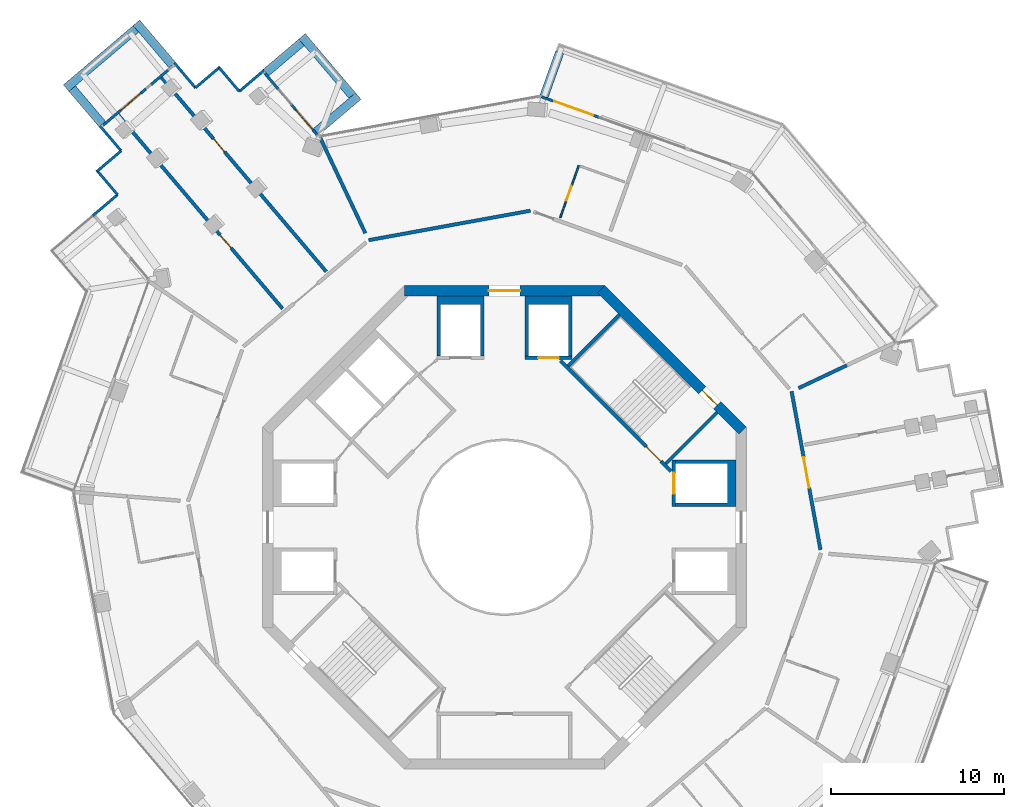
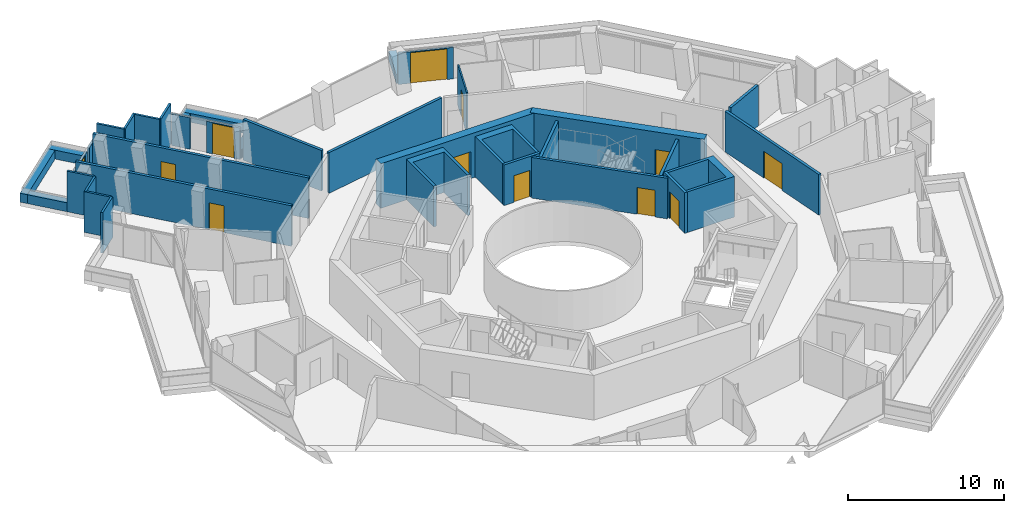
# One storey, part 17 of 21: 37 walls, 12 doors, 12 openings.
"""IFC4 building model written with IfcOpenShell, lengths in metres."""

from ifc_helpers import new_model, si_unit, direction, frame, frame_2d, origin, place, context, subcontext, project, spatial, polyline, rectangle, outline, extrude, material, layer, layer_set, type_object, element, fill, save


model = new_model("IFC4")

# Units and contexts
model_context = context("Model", 3, precision=1e-05, world=origin(), true_north=direction((0.0, 1.0)))
body_context = subcontext(model_context, "Body", "Model", "MODEL_VIEW")
ifc_project = project(units=[si_unit("LENGTHUNIT", "METRE"), si_unit("AREAUNIT", "SQUARE_METRE"), si_unit("VOLUMEUNIT", "CUBIC_METRE"), si_unit("PLANEANGLEUNIT", "RADIAN"), si_unit("MASSUNIT", "GRAM", prefix="KILO")], contexts=[model_context])

# Site, building, storey
site_placement = place(None, origin())
site = spatial("IfcSite", under=ifc_project, at=site_placement, CompositionType="ELEMENT")
building_placement = place(site_placement, origin())
building = spatial("IfcBuilding", under=site, at=building_placement, Name="Verdalira Terraces Hotel", CompositionType="ELEMENT")
storey_placement = place(building_placement, frame((0.0, 0.0, 197.5)))
storey = spatial("IfcBuildingStorey", under=building, at=storey_placement, Name="L48", CompositionType="ELEMENT", Elevation=197.5)

# Walls
ifc_material_1 = material(Name="Concrete C40", Category="concrete")
ifc_layer_1 = layer(ifc_material_1, 0.5)
ifc_layer_set_1 = layer_set([ifc_layer_1], Name="Balcony planter trough with tree")
wall_type_1 = type_object("IfcWallType", Name="Balcony planter trough with tree", PredefinedType="SOLIDWALL", material=ifc_layer_set_1)
wall_1_placement = place(storey_placement, frame((-19.235596, 26.76123, 0.0), z_axis=(0.0, 0.0, 1.0), x_axis=(-0.647050058, 0.762447521, 0.0)))
element("IfcWall", 1, at=wall_1_placement, inside=storey, type_object=wall_type_1, Name="Balcony planter", PredefinedType="SOLIDWALL", context=body_context, shape_type="SweptSolid", body=[
    extrude(rectangle(XDim=3.198975, YDim=0.5, at=frame_2d((1.599609, 0.0))), origin(), (0.0, 0.0, 1.0), 0.699951),
])
wall_2_placement = place(storey_placement, frame((-21.334229, 28.8479, 0.0), z_axis=(0.0, 0.0, 1.0), x_axis=(-0.762443713, -0.647054545, 0.0)))
element("IfcWall", 2, at=wall_2_placement, inside=storey, type_object=wall_type_1, Name="Balcony planter", PredefinedType="SOLIDWALL", context=body_context, shape_type="SweptSolid", body=[
    extrude(rectangle(XDim=5.300049, YDim=0.5, at=frame_2d((2.649902, 0.0))), origin(), (0.0, 0.0, 1.0), 0.699951),
])
for number, where, z_axis, x_axis, name in (
    (3, (-25.022949, 25.389648, 0.0), (0.0, 0.0, 1.0), (0.647088996, -0.762414474, 0.0), "Balcony planter"),
    (4, (3.193848, 27.488525, 0.0), (0.0, 0.0, 1.0), (-0.336748919, -0.94159448, 0.0), "Balcony planter"),
):
    element("IfcWall", number, at=place(storey_placement, frame(where, z_axis=z_axis, x_axis=x_axis)), inside=storey, type_object=wall_type_1, Name=name, PredefinedType="SOLIDWALL", context=body_context, shape_type="SweptSolid", body=[
        extrude(rectangle(XDim=2.699219, YDim=0.5, at=frame_2d((1.349609, 0.0))), origin(), (0.0, 0.0, 1.0), 0.699951),
    ])
wall_3_placement = place(storey_placement, frame((-10.901611, 22.892822, 0.0), z_axis=(0.0, 0.0, 1.0), x_axis=(0.762447521, 0.647050058, 0.0)))
element("IfcWall", 5, at=wall_3_placement, inside=storey, type_object=wall_type_1, Name="Balcony planter", PredefinedType="SOLIDWALL", context=body_context, shape_type="SweptSolid", body=[
    extrude(rectangle(XDim=3.198975, YDim=0.5, at=frame_2d((1.599609, 0.0))), origin(), (0.0, 0.0, 1.0), 0.699951),
])
wall_4_placement = place(storey_placement, frame((-8.814941, 24.991455, 0.0), z_axis=(0.0, 0.0, 1.0), x_axis=(-0.647072265, 0.762428675, 0.0)))
element("IfcWall", 6, at=wall_4_placement, inside=storey, type_object=wall_type_1, Name="Balcony planter", PredefinedType="SOLIDWALL", context=body_context, shape_type="SweptSolid", body=[
    extrude(rectangle(XDim=4.490967, YDim=0.5, at=frame_2d((2.245605, 0.0))), origin(), (0.0, 0.0, 1.0), 0.699951),
])
wall_5_placement = place(storey_placement, frame((-11.749756, 28.063232, 0.0), z_axis=(0.0, 0.0, 1.0), x_axis=(-0.762459099, -0.647036415, 0.0)))
element("IfcWall", 7, at=wall_5_placement, inside=storey, type_object=wall_type_1, Name="Balcony planter", PredefinedType="SOLIDWALL", context=body_context, shape_type="SweptSolid", body=[
    extrude(rectangle(XDim=2.698975, YDim=0.5, at=frame_2d((1.349609, 0.0))), origin(), (0.0, 0.0, 1.0), 0.699951),
])

# Wall, opening, door
ifc_material_2 = material(Name="Moisture-resistant gypsum board partition")
ifc_layer_2 = layer(ifc_material_2, 0.10009765625)
ifc_layer_set_2 = layer_set([ifc_layer_2], Name="Bathroom partition 100 mm")
wall_type_2 = type_object("IfcWallType", Name="Bathroom partition 100 mm", PredefinedType="PARTITIONING", material=ifc_layer_set_2)
wall_6_placement = place(storey_placement, frame((4.300781, 20.932617, 0.0), z_axis=(0.0, 0.0, 1.0), x_axis=(-0.336843833, -0.94156053, 0.0)))
wall_6 = element("IfcWall", 8, at=wall_6_placement, inside=storey, type_object=wall_type_2, Name="Bathroom partition", PredefinedType="PARTITIONING", context=body_context, shape_type="SweptSolid", body=[
    extrude(rectangle(XDim=3.199951, YDim=0.100098, at=frame_2d((1.600098, 0.0))), origin(), (0.0, 0.0, 1.0), 3.189941),
])
opening_1_placement = place(wall_6_placement, frame((1.25, 0.0, 0.0)))
opening_1 = element("IfcOpeningElement", 9, at=opening_1_placement, cuts=wall_6, Name="Opening L48-124", PredefinedType="OPENING", context=body_context, shape_type="SweptSolid", body=[
    extrude(rectangle(XDim=0.899902, YDim=2.100098, at=frame_2d((0.449951, 1.050049))), frame((0.0, 0.060059, 0.0), z_axis=(0.0, -1.0, 0.0), x_axis=(1.0, 0.0, 0.0)), (0.0, 0.0, 1.0), 0.120117),
])
ifc_material_3 = material(Name="Timber door", Category="wood")
door_type_1 = type_object("IfcDoorType", Name="Bathroom door 900 x 2100", OperationType="NOTDEFINED", PredefinedType="DOOR", material=ifc_material_3)
door_1_placement = place(opening_1_placement, origin())
door_1 = element("IfcDoor", 10, at=door_1_placement, inside=storey, type_object=door_type_1, Name="Bathroom door 4810", OperationType="SINGLE_SWING_LEFT", OverallHeight=2.10009765625, OverallWidth=0.89990234375, PredefinedType="DOOR", context=body_context, shape_type="SweptSolid", body=[
    extrude(rectangle(XDim=0.899902, YDim=2.100098, at=frame_2d((0.449951, 1.050049))), frame((0.0, 0.024902, 0.0), z_axis=(0.0, -1.0, 0.0), x_axis=(1.0, 0.0, 0.0)), (0.0, 0.0, 1.0), 0.050049),
])
fill(opening_1, door_1)

# Wall
ifc_material_4 = material(Name="Concrete C50", Category="concrete")
ifc_layer_3 = layer(ifc_material_4, 0.199951171875)
ifc_layer_set_3 = layer_set([ifc_layer_3], Name="Core RC wall 200 C50")
wall_type_3 = type_object("IfcWallType", Name="Core RC wall 200 C50", PredefinedType="SOLIDWALL", material=ifc_layer_set_3)
wall_7_placement = place(storey_placement, origin())
element("IfcWall", 11, at=wall_7_placement, inside=storey, type_object=wall_type_3, Name="L48 shaft wall E2", PredefinedType="SOLIDWALL", context=body_context, shape_type="SweptSolid", body=[
    extrude(outline(polyline([(13.399902, 3.899902), (13.399902, 1.199951), (9.899902, 1.199951), (9.899902, 1.399902), (12.899902, 1.399902), (12.899902, 3.699951), (9.899902, 3.699951), (9.899902, 3.899902), (13.399902, 3.899902)])), origin(), (0.0, 0.0, 1.0), 3.189941),
])

# Wall, opening, door
wall_8_placement = place(storey_placement, frame((9.800049, 1.199951, 0.0), z_axis=(0.0, 0.0, 1.0), x_axis=(0.0, 1.0, 0.0)))
wall_8 = element("IfcWall", 12, at=wall_8_placement, inside=storey, type_object=wall_type_3, Name="L48 shaft front wall E2", PredefinedType="SOLIDWALL", context=body_context, shape_type="SweptSolid", body=[
    extrude(rectangle(XDim=2.699951, YDim=0.199951, at=frame_2d((1.350098, 0.0))), origin(), (0.0, 0.0, 1.0), 3.189941),
])
opening_2_placement = place(wall_8_placement, frame((0.75, 0.0, 0.0)))
opening_2 = element("IfcOpeningElement", 13, at=opening_2_placement, cuts=wall_8, Name="Opening LD-L48-803", PredefinedType="OPENING", context=body_context, shape_type="SweptSolid", body=[
    extrude(rectangle(XDim=1.199951, YDim=2.100098, at=frame_2d((0.600098, 1.050049))), frame((0.0, 0.109863, 0.0), z_axis=(0.0, -1.0, 0.0), x_axis=(1.0, 0.0, 0.0)), (0.0, 0.0, 1.0), 0.219971),
])
ifc_material_5 = material(Name="Stainless steel", Category="steel")
door_type_2 = type_object("IfcDoorType", Name="Landing door 1200 x 2100", OperationType="NOTDEFINED", PredefinedType="DOOR", material=ifc_material_5)
door_2_placement = place(opening_2_placement, origin())
door_2 = element("IfcDoor", 14, at=door_2_placement, inside=storey, type_object=door_type_2, Name="Lift landing door HR2 L48", OperationType="DOUBLE_DOOR_SLIDING", OverallHeight=2.10009765625, OverallWidth=1.199951171875, PredefinedType="DOOR", context=body_context, shape_type="SweptSolid", body=[
    extrude(rectangle(XDim=1.199951, YDim=2.100098, at=frame_2d((0.600098, 1.050049))), frame((0.0, 0.024902, 0.0), z_axis=(0.0, -1.0, 0.0), x_axis=(1.0, 0.0, 0.0)), (0.0, 0.0, 1.0), 0.050049),
])
fill(opening_2, door_2)

# Wall
wall_9_placement = place(storey_placement, origin())
element("IfcWall", 15, at=wall_9_placement, inside=storey, type_object=wall_type_3, Name="L48 shaft wall N1", PredefinedType="SOLIDWALL", context=body_context, shape_type="SweptSolid", body=[
    extrude(outline(polyline([(3.899902, 9.899902), (3.699951, 9.899902), (3.699951, 12.899902), (1.399902, 12.899902), (1.399902, 9.899902), (1.199951, 9.899902), (1.199951, 13.399902), (3.899902, 13.399902), (3.899902, 9.899902)])), origin(), (0.0, 0.0, 1.0), 3.189941),
])

# Wall, opening, door
wall_10_placement = place(storey_placement, frame((1.199951, 9.800049, 0.0), z_axis=(0.0, 0.0, 1.0), x_axis=(1.0, 0.0, 0.0)))
wall_10 = element("IfcWall", 16, at=wall_10_placement, inside=storey, type_object=wall_type_3, Name="L48 shaft front wall N1", PredefinedType="SOLIDWALL", context=body_context, shape_type="SweptSolid", body=[
    extrude(rectangle(XDim=2.699951, YDim=0.199951, at=frame_2d((1.350098, 0.0))), origin(), (0.0, 0.0, 1.0), 3.189941),
])
opening_3_placement = place(wall_10_placement, frame((0.75, 0.0, 0.0)))
opening_3 = element("IfcOpeningElement", 17, at=opening_3_placement, cuts=wall_10, Name="Opening LD-L48-804", PredefinedType="OPENING", context=body_context, shape_type="SweptSolid", body=[
    extrude(rectangle(XDim=1.199951, YDim=2.100098, at=frame_2d((0.600098, 1.050049))), frame((0.0, 0.109863, 0.0), z_axis=(0.0, -1.0, 0.0), x_axis=(1.0, 0.0, 0.0)), (0.0, 0.0, 1.0), 0.219971),
])
door_3_placement = place(opening_3_placement, origin())
door_3 = element("IfcDoor", 18, at=door_3_placement, inside=storey, type_object=door_type_2, Name="Lift landing door HR3 L48", OperationType="DOUBLE_DOOR_SLIDING", OverallHeight=2.10009765625, OverallWidth=1.199951171875, PredefinedType="DOOR", context=body_context, shape_type="SweptSolid", body=[
    extrude(rectangle(XDim=1.199951, YDim=2.100098, at=frame_2d((0.600098, 1.050049))), frame((0.0, 0.024902, 0.0), z_axis=(0.0, -1.0, 0.0), x_axis=(1.0, 0.0, 0.0)), (0.0, 0.0, 1.0), 0.050049),
])
fill(opening_3, door_3)

# Wall
wall_11_placement = place(storey_placement, origin())
element("IfcWall", 19, at=wall_11_placement, inside=storey, type_object=wall_type_3, Name="L48 shaft wall N2", PredefinedType="SOLIDWALL", context=body_context, shape_type="SweptSolid", body=[
    extrude(outline(polyline([(-3.899902, 13.399902), (-1.199951, 13.399902), (-1.199951, 9.899902), (-1.399902, 9.899902), (-1.399902, 12.899902), (-3.699951, 12.899902), (-3.699951, 9.899902), (-3.899902, 9.899902), (-3.899902, 13.399902)])), origin(), (0.0, 0.0, 1.0), 3.189941),
])

# Wall, opening, door
wall_12_placement = place(storey_placement, frame((3.23999, 9.629395, 0.0), z_axis=(0.0, 0.0, 1.0), x_axis=(0.707106781, -0.707106781, 0.0)))
wall_12 = element("IfcWall", 20, at=wall_12_placement, inside=storey, type_object=wall_type_3, Name="L48 stair ST1 front wall", PredefinedType="SOLIDWALL", context=body_context, shape_type="SweptSolid", body=[
    extrude(rectangle(XDim=9.035889, YDim=0.199951, at=frame_2d((4.518066, 0.0))), origin(), (0.0, 0.0, 1.0), 3.189941),
])
opening_4_placement = place(wall_12_placement, frame((7.017822, 0.0, 0.0)))
opening_4 = element("IfcOpeningElement", 21, at=opening_4_placement, cuts=wall_12, Name="Opening L48-810", PredefinedType="OPENING", context=body_context, shape_type="SweptSolid", body=[
    extrude(rectangle(XDim=1.199951, YDim=2.100098, at=frame_2d((0.600098, 1.050049))), frame((0.0, 0.109863, 0.0), z_axis=(0.0, -1.0, 0.0), x_axis=(1.0, 0.0, 0.0)), (0.0, 0.0, 1.0), 0.219971),
])
ifc_material_6 = material(Name="Steel fire door", Category="steel")
door_type_3 = type_object("IfcDoorType", Name="Stair door 1200 x 2100", OperationType="NOTDEFINED", PredefinedType="DOOR", material=ifc_material_6)
door_4_placement = place(opening_4_placement, origin())
door_4 = element("IfcDoor", 22, at=door_4_placement, inside=storey, type_object=door_type_3, Name="Stair door ST1 L48", OperationType="SINGLE_SWING_RIGHT", OverallHeight=2.10009765625, OverallWidth=1.199951171875, PredefinedType="DOOR", context=body_context, shape_type="SweptSolid", body=[
    extrude(rectangle(XDim=1.199951, YDim=2.100098, at=frame_2d((0.600098, 1.050049))), frame((0.0, 0.024902, 0.0), z_axis=(0.0, -1.0, 0.0), x_axis=(1.0, 0.0, 0.0)), (0.0, 0.0, 1.0), 0.050049),
])
fill(opening_4, door_4)

# Walls
for number, where, z_axis, x_axis, name in (
    (23, (9.33374, 3.677002, 0.0), (0.0, 0.0, 1.0), (0.707135845, 0.707077716, 0.0), "L48 stair ST1 end wall 1"),
    (24, (3.677002, 9.33374, 0.0), (0.0, 0.0, 1.0), (0.707077716, 0.707135845, 0.0), "L48 stair ST1 end wall 2"),
):
    element("IfcWall", number, at=place(storey_placement, frame(where, z_axis=z_axis, x_axis=x_axis)), inside=storey, type_object=wall_type_3, Name=name, PredefinedType="SOLIDWALL", context=body_context, shape_type="SweptSolid", body=[
        extrude(rectangle(XDim=4.199951, YDim=0.199951, at=frame_2d((2.100098, 0.0))), origin(), (0.0, 0.0, 1.0), 3.189941),
    ])

# Wall, opening, door
ifc_material_7 = material(Name="Concrete C60", Category="concrete")
ifc_layer_4 = layer(ifc_material_7, 0.60009765625)
ifc_layer_set_4 = layer_set([ifc_layer_4], Name="Core wall 600 C60")
wall_type_4 = type_object("IfcWallType", Name="Core wall 600 C60", PredefinedType="SHEAR", material=ifc_layer_set_4)
wall_13_placement = place(storey_placement, frame((13.787842, 5.586914, 0.0), z_axis=(0.0, 0.0, 1.0), x_axis=(-0.707106781, 0.707106781, 0.0)))
wall_13 = element("IfcWall", 25, at=wall_13_placement, inside=storey, type_object=wall_type_4, Name="Core wall CW-L48-2", PredefinedType="SHEAR", context=body_context, shape_type="SweptSolid", body=[
    extrude(rectangle(XDim=11.5979, YDim=0.600098, at=frame_2d((5.798828, 0.0))), origin(), (0.0, 0.0, 1.0), 3.5),
])
opening_5_placement = place(wall_13_placement, frame((2.099121, 0.0, 0.0)))
opening_5 = element("IfcOpeningElement", 26, at=opening_5_placement, cuts=wall_13, Name="Opening L48-816", PredefinedType="OPENING", context=body_context, shape_type="SweptSolid", body=[
    extrude(rectangle(XDim=1.199951, YDim=2.100098, at=frame_2d((0.600098, 1.050049))), frame((0.0, 0.310059, 0.0), z_axis=(0.0, -1.0, 0.0), x_axis=(1.0, 0.0, 0.0)), (0.0, 0.0, 1.0), 0.620117),
])
door_5_placement = place(opening_5_placement, origin())
door_5 = element("IfcDoor", 27, at=door_5_placement, inside=storey, type_object=door_type_3, Name="Stair exit door ST1 L48", OperationType="SINGLE_SWING_LEFT", OverallHeight=2.10009765625, OverallWidth=1.199951171875, PredefinedType="DOOR", context=body_context, shape_type="SweptSolid", body=[
    extrude(rectangle(XDim=1.199951, YDim=2.100098, at=frame_2d((0.600098, 1.050049))), frame((0.0, 0.024902, 0.0), z_axis=(0.0, -1.0, 0.0), x_axis=(1.0, 0.0, 0.0)), (0.0, 0.0, 1.0), 0.050049),
])
fill(opening_5, door_5)

wall_14_placement = place(storey_placement, frame((5.799072, 13.699951, 0.0), z_axis=(0.0, 0.0, 1.0), x_axis=(-1.0, 0.0, 0.0)))
wall_14 = element("IfcWall", 28, at=wall_14_placement, inside=storey, type_object=wall_type_4, Name="Core wall CW-L48-3", PredefinedType="SHEAR", context=body_context, shape_type="SweptSolid", body=[
    extrude(rectangle(XDim=11.598145, YDim=0.600098, at=frame_2d((5.799072, 0.0))), origin(), (0.0, 0.0, 1.0), 3.5),
])
opening_6_placement = place(wall_14_placement, frame((4.898926, 0.0, 0.0)))
opening_6 = element("IfcOpeningElement", 29, at=opening_6_placement, cuts=wall_14, Name="Opening L48-814", PredefinedType="OPENING", context=body_context, shape_type="SweptSolid", body=[
    extrude(rectangle(XDim=1.800049, YDim=2.100098, at=frame_2d((0.899902, 1.050049))), frame((0.0, 0.310059, 0.0), z_axis=(0.0, -1.0, 0.0), x_axis=(1.0, 0.0, 0.0)), (0.0, 0.0, 1.0), 0.620117),
])
ifc_material_8 = material(Name="Steel fire door", Category="steel")
door_type_4 = type_object("IfcDoorType", Name="Core entry door pair 1800 x 2100", OperationType="NOTDEFINED", PredefinedType="DOOR", material=ifc_material_8)
door_6_placement = place(opening_6_placement, origin())
door_6 = element("IfcDoor", 30, at=door_6_placement, inside=storey, type_object=door_type_4, Name="Core entry door L48 2", OperationType="DOUBLE_DOOR_SINGLE_SWING", OverallHeight=2.10009765625, OverallWidth=1.800048828125, PredefinedType="DOOR", context=body_context, shape_type="SweptSolid", body=[
    extrude(rectangle(XDim=1.800049, YDim=2.100098, at=frame_2d((0.899902, 1.050049))), frame((0.0, 0.024902, 0.0), z_axis=(0.0, -1.0, 0.0), x_axis=(1.0, 0.0, 0.0)), (0.0, 0.0, 1.0), 0.050049),
])
fill(opening_6, door_6)

ifc_material_9 = material(Name="Fire-rated gypsum board wall")
ifc_layer_5 = layer(ifc_material_9, 0.199951171875)
ifc_layer_set_5 = layer_set([ifc_layer_5], Name="Demising wall 200 mm")
wall_type_5 = type_object("IfcWallType", Name="Demising wall 200 mm", PredefinedType="SOLIDWALL", material=ifc_layer_set_5)
wall_15_placement = place(storey_placement, frame((-12.843994, 12.653564, 0.0), z_axis=(0.0, 0.0, 1.0), x_axis=(-0.647054482, 0.762443767, 0.0)))
wall_15 = element("IfcWall", 31, at=wall_15_placement, inside=storey, type_object=wall_type_5, Name="Demising wall", PredefinedType="SOLIDWALL", context=body_context, shape_type="SweptSolid", body=[
    extrude(rectangle(XDim=14.740723, YDim=0.199951, at=frame_2d((7.370361, 0.0))), origin(), (0.0, 0.0, 1.0), 3.189941),
])
opening_7_placement = place(wall_15_placement, frame((4.600098, 0.0, 0.0)))
opening_7 = element("IfcOpeningElement", 32, at=opening_7_placement, cuts=wall_15, Name="Opening L48-103", PredefinedType="OPENING", context=body_context, shape_type="SweptSolid", body=[
    extrude(rectangle(XDim=1.0, YDim=2.100098, at=frame_2d((0.5, 1.050049))), frame((0.0, 0.109863, 0.0), z_axis=(0.0, -1.0, 0.0), x_axis=(1.0, 0.0, 0.0)), (0.0, 0.0, 1.0), 0.219971),
])
ifc_material_10 = material(Name="Timber fire door", Category="wood")
door_type_5 = type_object("IfcDoorType", Name="Public room door 1000 x 2100", OperationType="NOTDEFINED", PredefinedType="DOOR", material=ifc_material_10)
door_7_placement = place(opening_7_placement, origin())
door_7 = element("IfcDoor", 33, at=door_7_placement, inside=storey, type_object=door_type_5, Name="Public room door 4801", OperationType="SINGLE_SWING_LEFT", OverallHeight=2.10009765625, OverallWidth=1.0, PredefinedType="DOOR", context=body_context, shape_type="SweptSolid", body=[
    extrude(rectangle(XDim=1.0, YDim=2.100098, at=frame_2d((0.5, 1.050049))), frame((0.0, 0.024902, 0.0), z_axis=(0.0, -1.0, 0.0), x_axis=(1.0, 0.0, 0.0)), (0.0, 0.0, 1.0), 0.050049),
])
fill(opening_7, door_7)

wall_16_placement = place(storey_placement, frame((-19.855957, 26.036621, 0.0), z_axis=(0.0, 0.0, 1.0), x_axis=(0.64706411, -0.762435596, 0.0)))
wall_16 = element("IfcWall", 34, at=wall_16_placement, inside=storey, type_object=wall_type_5, Name="Demising wall", PredefinedType="SOLIDWALL", context=body_context, shape_type="SweptSolid", body=[
    extrude(rectangle(XDim=14.740967, YDim=0.199951, at=frame_2d((7.370605, 0.0))), origin(), (0.0, 0.0, 1.0), 3.189941),
])
opening_8_placement = place(wall_16_placement, frame((4.649902, 0.0, 0.0)))
opening_8 = element("IfcOpeningElement", 35, at=opening_8_placement, cuts=wall_16, Name="Opening L48-102", PredefinedType="OPENING", context=body_context, shape_type="SweptSolid", body=[
    extrude(rectangle(XDim=1.0, YDim=2.100098, at=frame_2d((0.5, 1.050049))), frame((0.0, 0.109863, 0.0), z_axis=(0.0, -1.0, 0.0), x_axis=(1.0, 0.0, 0.0)), (0.0, 0.0, 1.0), 0.219971),
])
door_8_placement = place(opening_8_placement, origin())
door_8 = element("IfcDoor", 36, at=door_8_placement, inside=storey, type_object=door_type_5, Name="Public room door 4801", OperationType="SINGLE_SWING_LEFT", OverallHeight=2.10009765625, OverallWidth=1.0, PredefinedType="DOOR", context=body_context, shape_type="SweptSolid", body=[
    extrude(rectangle(XDim=1.0, YDim=2.100098, at=frame_2d((0.5, 1.050049))), frame((0.0, 0.024902, 0.0), z_axis=(0.0, -1.0, 0.0), x_axis=(1.0, 0.0, 0.0)), (0.0, 0.0, 1.0), 0.050049),
])
fill(opening_8, door_8)

# Walls
wall_17_placement = place(storey_placement, frame((-10.676514, 22.565918, 0.0), z_axis=(0.0, 0.0, 1.0), x_axis=(0.427678976, -0.903930691, 0.0)))
element("IfcWall", 37, at=wall_17_placement, inside=storey, type_object=wall_type_5, Name="Demising wall", PredefinedType="SOLIDWALL", context=body_context, shape_type="SweptSolid", body=[
    extrude(rectangle(XDim=6.13208, YDim=0.199951, at=frame_2d((3.065918, 0.0))), origin(), (0.0, 0.0, 1.0), 3.189941),
])
wall_18_placement = place(storey_placement, frame((17.022949, 8.053955, 0.0), z_axis=(0.0, 0.0, 1.0), x_axis=(0.903934995, 0.427669877, 0.0)))
element("IfcWall", 38, at=wall_18_placement, inside=storey, type_object=wall_type_5, Name="Demising wall", PredefinedType="SOLIDWALL", context=body_context, shape_type="SweptSolid", body=[
    extrude(rectangle(XDim=3.074707, YDim=0.199951, at=frame_2d((1.537354, 0.0))), origin(), (0.0, 0.0, 1.0), 3.189941),
])
ifc_material_11 = material(Name="Fire-rated gypsum board wall")
ifc_layer_6 = layer(ifc_material_11, 0.199951171875)
ifc_layer_set_6 = layer_set([ifc_layer_6], Name="Guest corridor wall 200 mm")
wall_type_6 = type_object("IfcWallType", Name="Guest corridor wall 200 mm", PredefinedType="SOLIDWALL", material=ifc_layer_set_6)
wall_19_placement = place(storey_placement, frame((1.499512, 18.323486, 0.0), z_axis=(0.0, 0.0, 1.0), x_axis=(-0.983821025, -0.179154099, 0.0)))
element("IfcWall", 39, at=wall_19_placement, inside=storey, type_object=wall_type_6, Name="Guest corridor wall", PredefinedType="SOLIDWALL", context=body_context, shape_type="SweptSolid", body=[
    extrude(rectangle(XDim=9.516113, YDim=0.199951, at=frame_2d((4.758057, 0.0))), origin(), (0.0, 0.0, 1.0), 3.189941),
])

# Wall, opening, door
wall_20_placement = place(storey_placement, frame((16.618652, 7.862793, 0.0), z_axis=(0.0, 0.0, 1.0), x_axis=(0.179134481, -0.983824597, 0.0)))
wall_20 = element("IfcWall", 40, at=wall_20_placement, inside=storey, type_object=wall_type_6, Name="Guest corridor wall", PredefinedType="SOLIDWALL", context=body_context, shape_type="SweptSolid", body=[
    extrude(rectangle(XDim=9.31665, YDim=0.199951, at=frame_2d((4.658203, 0.0))), origin(), (0.0, 0.0, 1.0), 3.189941),
])
opening_9_placement = place(wall_20_placement, frame((3.869385, 0.0, 0.0)))
opening_9 = element("IfcOpeningElement", 41, at=opening_9_placement, cuts=wall_20, Name="Opening L48-118", PredefinedType="OPENING", context=body_context, shape_type="SweptSolid", body=[
    extrude(rectangle(XDim=1.800049, YDim=2.100098, at=frame_2d((0.899902, 1.050049))), frame((0.0, 0.109863, 0.0), z_axis=(0.0, -1.0, 0.0), x_axis=(1.0, 0.0, 0.0)), (0.0, 0.0, 1.0), 0.219971),
])
ifc_material_12 = material(Name="Timber fire door", Category="wood")
door_type_6 = type_object("IfcDoorType", Name="Public room double door 1800 x 2100", OperationType="NOTDEFINED", PredefinedType="DOOR", material=ifc_material_12)
door_9_placement = place(opening_9_placement, origin())
door_9 = element("IfcDoor", 42, at=door_9_placement, inside=storey, type_object=door_type_6, Name="Public room double door 4808", OperationType="DOUBLE_DOOR_SINGLE_SWING", OverallHeight=2.10009765625, OverallWidth=1.800048828125, PredefinedType="DOOR", context=body_context, shape_type="SweptSolid", body=[
    extrude(rectangle(XDim=1.800049, YDim=2.100098, at=frame_2d((0.899902, 1.050049))), frame((0.0, 0.024902, 0.0), z_axis=(0.0, -1.0, 0.0), x_axis=(1.0, 0.0, 0.0)), (0.0, 0.0, 1.0), 0.050049),
])
fill(opening_9, door_9)

# Walls
ifc_material_13 = material(Name="Terracotta cladding", Category="masonry")
ifc_layer_7 = layer(ifc_material_13, 0.14990234375)
ifc_layer_set_7 = layer_set([ifc_layer_7], Name="Terracotta clad wall 150")
wall_type_7 = type_object("IfcWallType", Name="Terracotta clad wall 150", PredefinedType="SOLIDWALL", material=ifc_layer_set_7)
wall_21_placement = place(storey_placement, frame((-13.921631, 26.449707, 0.0), z_axis=(0.0, 0.0, 1.0), x_axis=(-0.762372861, -0.647138022, 0.0)))
element("IfcWall", 43, at=wall_21_placement, inside=storey, type_object=wall_type_7, Name="Terracotta cladding wall", PredefinedType="SOLIDWALL", context=body_context, shape_type="SweptSolid", body=[
    extrude(rectangle(XDim=1.875, YDim=0.149902, at=frame_2d((0.9375, 0.0))), origin(), (0.0, 0.0, 1.0), 3.189941),
])
wall_22_placement = place(storey_placement, frame((-15.351074, 25.236328, 0.0), z_axis=(0.0, 0.0, 1.0), x_axis=(-0.647108872, 0.762397605, 0.0)))
element("IfcWall", 44, at=wall_22_placement, inside=storey, type_object=wall_type_7, Name="Terracotta cladding wall", PredefinedType="SOLIDWALL", context=body_context, shape_type="SweptSolid", body=[
    extrude(rectangle(XDim=1.800049, YDim=0.149902, at=frame_2d((0.899902, 0.0))), origin(), (0.0, 0.0, 1.0), 3.189941),
])
for number, where, z_axis, x_axis, name in (
    (45, (-16.45874, 26.657227, 0.0), (0.0, 0.0, 1.0), (-0.762437103, -0.647062334, 0.0), "Terracotta cladding wall"),
    (46, (-17.888184, 25.444092, 0.0), (0.0, 0.0, 1.0), (-0.647062334, 0.762437103, 0.0), "Terracotta cladding wall"),
):
    element("IfcWall", number, at=place(storey_placement, frame(where, z_axis=z_axis, x_axis=x_axis)), inside=storey, type_object=wall_type_7, Name=name, PredefinedType="SOLIDWALL", context=body_context, shape_type="SweptSolid", body=[
        extrude(rectangle(XDim=1.874756, YDim=0.149902, at=frame_2d((0.9375, 0.0))), origin(), (0.0, 0.0, 1.0), 3.189941),
    ])
wall_23_placement = place(storey_placement, frame((-23.40918, 23.217773, 0.0), z_axis=(0.0, 0.0, 1.0), x_axis=(0.646998095, -0.762491617, 0.0)))
element("IfcWall", 47, at=wall_23_placement, inside=storey, type_object=wall_type_7, Name="Terracotta cladding wall", PredefinedType="SOLIDWALL", context=body_context, shape_type="SweptSolid", body=[
    extrude(rectangle(XDim=1.875, YDim=0.149902, at=frame_2d((0.9375, 0.0))), origin(), (0.0, 0.0, 1.0), 3.189941),
])
wall_24_placement = place(storey_placement, frame((-22.196045, 21.788086, 0.0), z_axis=(0.0, 0.0, 1.0), x_axis=(-0.762464522, -0.647030025, 0.0)))
element("IfcWall", 48, at=wall_24_placement, inside=storey, type_object=wall_type_7, Name="Terracotta cladding wall", PredefinedType="SOLIDWALL", context=body_context, shape_type="SweptSolid", body=[
    extrude(rectangle(XDim=1.799805, YDim=0.149902, at=frame_2d((0.899902, 0.0))), origin(), (0.0, 0.0, 1.0), 3.189941),
])
wall_25_placement = place(storey_placement, frame((-23.616943, 20.680664, 0.0), z_axis=(0.0, 0.0, 1.0), x_axis=(0.646998095, -0.762491617, 0.0)))
element("IfcWall", 49, at=wall_25_placement, inside=storey, type_object=wall_type_7, Name="Terracotta cladding wall", PredefinedType="SOLIDWALL", context=body_context, shape_type="SweptSolid", body=[
    extrude(rectangle(XDim=1.875, YDim=0.149902, at=frame_2d((0.9375, 0.0))), origin(), (0.0, 0.0, 1.0), 3.189941),
])
wall_26_placement = place(storey_placement, frame((-22.403809, 19.250977, 0.0), z_axis=(0.0, 0.0, 1.0), x_axis=(-0.762437103, -0.647062334, 0.0)))
element("IfcWall", 50, at=wall_26_placement, inside=storey, type_object=wall_type_7, Name="Terracotta cladding wall", PredefinedType="SOLIDWALL", context=body_context, shape_type="SweptSolid", body=[
    extrude(rectangle(XDim=1.874756, YDim=0.149902, at=frame_2d((0.9375, 0.0))), origin(), (0.0, 0.0, 1.0), 3.189941),
])
ifc_material_14 = material(Name="Terracotta cladding", Category="masonry")
ifc_layer_8 = layer(ifc_material_14, 0.14990234375)
ifc_layer_set_8 = layer_set([ifc_layer_8], Name="Terracotta column pier 150")
wall_type_8 = type_object("IfcWallType", Name="Terracotta column pier 150", PredefinedType="SOLIDWALL", material=ifc_layer_set_8)
wall_27_placement = place(storey_placement, frame((-13.056641, 25.314697, 0.0), z_axis=(0.0, 0.0, 1.0), x_axis=(-0.647155536, 0.762357995, 0.0)))
element("IfcWall", 51, at=wall_27_placement, inside=storey, type_object=wall_type_8, Name="Terracotta column pier", PredefinedType="SOLIDWALL", context=body_context, shape_type="SweptSolid", body=[
    extrude(rectangle(XDim=1.280029, YDim=0.149902, at=frame_2d((0.640137, 0.0))), origin(), (0.0, 0.0, 1.0), 2.475098),
])
wall_28_placement = place(storey_placement, frame((-19.476074, 26.457275, 0.0), z_axis=(0.0, 0.0, 1.0), x_axis=(-0.762531758, -0.646950785, 0.0)))
element("IfcWall", 52, at=wall_28_placement, inside=storey, type_object=wall_type_8, Name="Terracotta column pier", PredefinedType="SOLIDWALL", context=body_context, shape_type="SweptSolid", body=[
    extrude(rectangle(XDim=1.290527, YDim=0.149902, at=frame_2d((0.645264, 0.0))), origin(), (0.0, 0.0, 1.0), 2.475098),
])

# Wall, opening, door
ifc_material_15 = material(Name="Terracotta cladding", Category="masonry")
ifc_layer_9 = layer(ifc_material_15, 0.14990234375)
ifc_layer_set_9 = layer_set([ifc_layer_9], Name="Terracotta door pier 150")
wall_type_9 = type_object("IfcWallType", Name="Terracotta door pier 150", PredefinedType="SOLIDWALL", material=ifc_layer_set_9)
wall_29_placement = place(storey_placement, frame((-10.843018, 22.706299, 0.0), z_axis=(0.0, 0.0, 1.0), x_axis=(-0.647100675, 0.762404562, 0.0)))
wall_29 = element("IfcWall", 53, at=wall_29_placement, inside=storey, type_object=wall_type_9, Name="Terracotta door pier", PredefinedType="SOLIDWALL", context=body_context, shape_type="SweptSolid", body=[
    extrude(rectangle(XDim=2.303711, YDim=0.149902, at=frame_2d((1.151855, 0.0))), origin(), (0.0, 0.0, 1.0), 2.475098),
])
opening_10_placement = place(wall_29_placement, frame((0.403564, 0.0, 0.0)))
opening_10 = element("IfcOpeningElement", 54, at=opening_10_placement, cuts=wall_29, Name="Opening L48-B01", PredefinedType="OPENING", context=body_context, shape_type="SweptSolid", body=[
    extrude(rectangle(XDim=1.5, YDim=2.399902, at=frame_2d((0.75, 1.199951))), frame((0.0, 0.084961, 0.0), z_axis=(0.0, -1.0, 0.0), x_axis=(1.0, 0.0, 0.0)), (0.0, 0.0, 1.0), 0.169922),
])
ifc_material_16 = material(Name="Clear glass", Category="glass")
door_type_7 = type_object("IfcDoorType", Name="Balcony sliding door 1500x2400", OperationType="NOTDEFINED", PredefinedType="DOOR", material=ifc_material_16)
door_10_placement = place(opening_10_placement, origin())
door_10 = element("IfcDoor", 55, at=door_10_placement, inside=storey, type_object=door_type_7, Name="Balcony sliding door", OperationType="SLIDING_TO_LEFT", OverallHeight=2.39990234375, OverallWidth=1.5, PredefinedType="DOOR", context=body_context, shape_type="SweptSolid", body=[
    extrude(rectangle(XDim=1.5, YDim=2.399902, at=frame_2d((0.75, 1.199951))), frame((0.0, 0.024902, 0.0), z_axis=(0.0, -1.0, 0.0), x_axis=(1.0, 0.0, 0.0)), (0.0, 0.0, 1.0), 0.050049),
])
fill(opening_10, door_10)

wall_30_placement = place(storey_placement, frame((-20.75708, 25.370361, 0.0), z_axis=(0.0, 0.0, 1.0), x_axis=(-0.762419559, -0.647083005, 0.0)))
wall_30 = element("IfcWall", 56, at=wall_30_placement, inside=storey, type_object=wall_type_9, Name="Terracotta door pier", PredefinedType="SOLIDWALL", context=body_context, shape_type="SweptSolid", body=[
    extrude(rectangle(XDim=3.259766, YDim=0.149902, at=frame_2d((1.629883, 0.0))), origin(), (0.0, 0.0, 1.0), 2.475098),
])
opening_11_placement = place(wall_30_placement, frame((0.399902, 0.0, 0.0)))
opening_11 = element("IfcOpeningElement", 57, at=opening_11_placement, cuts=wall_30, Name="Opening L48-B02", PredefinedType="OPENING", context=body_context, shape_type="SweptSolid", body=[
    extrude(rectangle(XDim=1.5, YDim=2.399902, at=frame_2d((0.75, 1.199951))), frame((0.0, 0.084961, 0.0), z_axis=(0.0, -1.0, 0.0), x_axis=(1.0, 0.0, 0.0)), (0.0, 0.0, 1.0), 0.169922),
])
door_11_placement = place(opening_11_placement, origin())
door_11 = element("IfcDoor", 58, at=door_11_placement, inside=storey, type_object=door_type_7, Name="Balcony sliding door", OperationType="SLIDING_TO_RIGHT", OverallHeight=2.39990234375, OverallWidth=1.5, PredefinedType="DOOR", context=body_context, shape_type="SweptSolid", body=[
    extrude(rectangle(XDim=1.5, YDim=2.399902, at=frame_2d((0.75, 1.199951))), frame((0.0, 0.024902, 0.0), z_axis=(0.0, -1.0, 0.0), x_axis=(1.0, 0.0, 0.0)), (0.0, 0.0, 1.0), 0.050049),
])
fill(opening_11, door_11)

wall_31_placement = place(storey_placement, frame((5.516113, 23.710693, 0.0), z_axis=(0.0, 0.0, 1.0), x_axis=(-0.941585689, 0.336773499, 0.0)))
wall_31 = element("IfcWall", 59, at=wall_31_placement, inside=storey, type_object=wall_type_9, Name="Terracotta door pier", PredefinedType="SOLIDWALL", context=body_context, shape_type="SweptSolid", body=[
    extrude(rectangle(XDim=3.608643, YDim=0.149902, at=frame_2d((1.804199, 0.0))), origin(), (0.0, 0.0, 1.0), 2.475098),
])
opening_12_placement = place(wall_31_placement, frame((0.399902, 0.0, 0.0)))
opening_12 = element("IfcOpeningElement", 60, at=opening_12_placement, cuts=wall_31, Name="Opening L48-B14", PredefinedType="OPENING", context=body_context, shape_type="SweptSolid", body=[
    extrude(rectangle(XDim=2.399902, YDim=2.399902, at=frame_2d((1.199951, 1.199951))), frame((0.0, 0.084961, 0.0), z_axis=(0.0, -1.0, 0.0), x_axis=(1.0, 0.0, 0.0)), (0.0, 0.0, 1.0), 0.169922),
])
ifc_material_17 = material(Name="Clear glass", Category="glass")
door_type_8 = type_object("IfcDoorType", Name="Balcony sliding door 2400x2400", OperationType="NOTDEFINED", PredefinedType="DOOR", material=ifc_material_17)
door_12_placement = place(opening_12_placement, origin())
door_12 = element("IfcDoor", 61, at=door_12_placement, inside=storey, type_object=door_type_8, Name="Balcony sliding door", OperationType="SLIDING_TO_RIGHT", OverallHeight=2.39990234375, OverallWidth=2.39990234375, PredefinedType="DOOR", context=body_context, shape_type="SweptSolid", body=[
    extrude(rectangle(XDim=2.399902, YDim=2.399902, at=frame_2d((1.199951, 1.199951))), frame((0.0, 0.024902, 0.0), z_axis=(0.0, -1.0, 0.0), x_axis=(1.0, 0.0, 0.0)), (0.0, 0.0, 1.0), 0.050049),
])
fill(opening_12, door_12)

save(model, "model.ifc")
